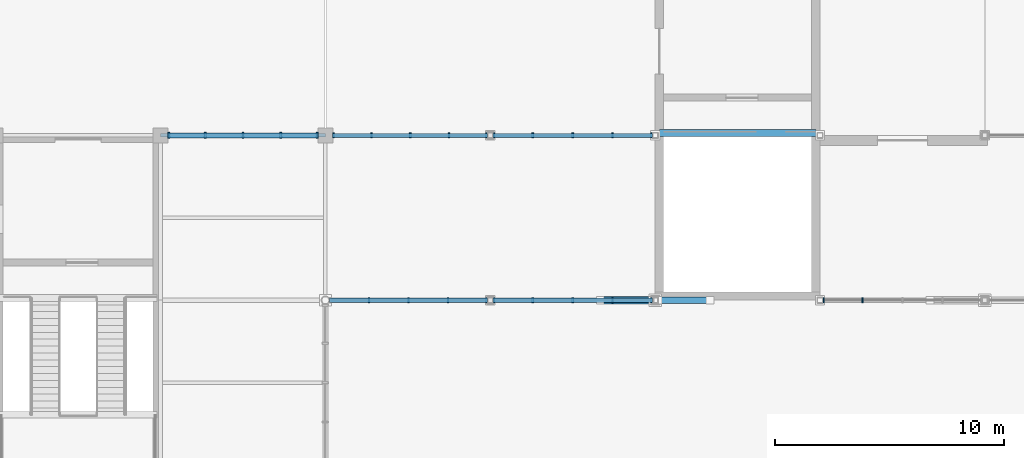
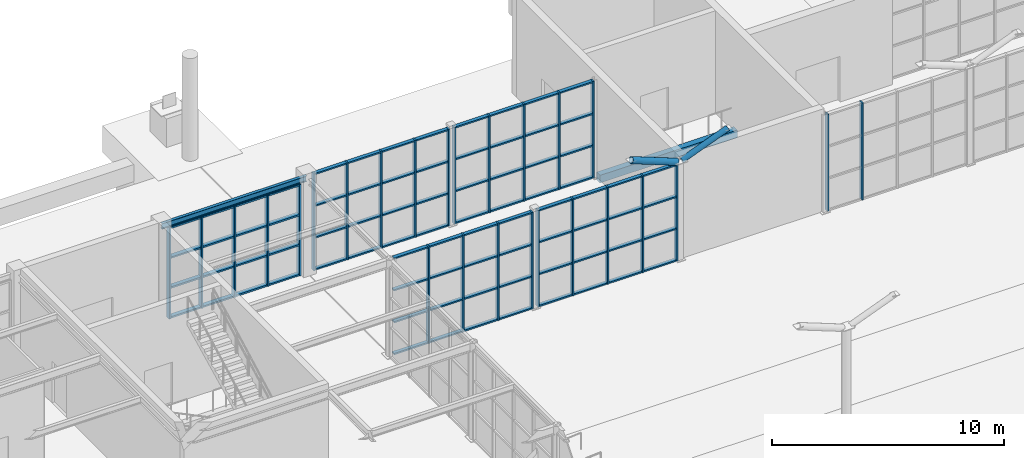
# One storey, part 27 of 75: 48 members, 2 beams, 6 elements without a shape of their own.
"""IFC4 building model written with IfcOpenShell, lengths in metres."""

from ifc_helpers import new_model, si_unit, direction, frame, origin, origin_2d, place, context, subcontext, project, spatial, rectangle, hollow_circle, i_section, extrude, material, material_profile, profile_set, type_object, element, aggregate, save


model = new_model("IFC4")

# Units and contexts
model_context = context("Model", 3, precision=1e-05, world=origin(), true_north=direction((0.0, 1.0)))
body_context = subcontext(model_context, "Body", "Model", "MODEL_VIEW")
ifc_project = project(units=[si_unit("LENGTHUNIT", "METRE"), si_unit("AREAUNIT", "SQUARE_METRE"), si_unit("VOLUMEUNIT", "CUBIC_METRE"), si_unit("PLANEANGLEUNIT", "RADIAN"), si_unit("MASSUNIT", "GRAM", prefix="KILO")], contexts=[model_context])

# Site, building, storey
site_placement = place(None, origin())
site = spatial("IfcSite", under=ifc_project, at=site_placement, CompositionType="ELEMENT")
building_placement = place(site_placement, origin())
building = spatial("IfcBuilding", under=site, at=building_placement, Name="Leyfeld Transit Interchange", CompositionType="ELEMENT")
storey_placement = place(building_placement, origin())
storey = spatial("IfcBuildingStorey", under=building, at=storey_placement, Name="L00", CompositionType="ELEMENT", Elevation=0.0)

# Beams
ifc_material_1 = material(Name="Concrete C35/45", Category="concrete")
ifc_material_profile_1 = material_profile(ifc_material_1, rectangle(XDim=0.300048828125, YDim=0.39990234375, at=origin_2d()), Name="RC 400x300")
ifc_profile_set_1 = profile_set([ifc_material_profile_1], Name="Concrete C35/45")
beam_type_1 = type_object("IfcBeamType", Name="BM-RC-400x300", PredefinedType="LINTEL", material=ifc_profile_set_1)
beam_1_placement = place(storey_placement, frame((115.385009765625, 50.5, -0.199951171875), z_axis=(1.0, 0.0, 0.0), x_axis=(0.0, 1.0, 0.0)))
element("IfcBeam", 1, at=beam_1_placement, inside=storey, type_object=beam_type_1, Name="Core K9 Floor Landing Corbel L00", PredefinedType="LINTEL", context=body_context, shape_type="SweptSolid", body=[
    extrude(rectangle(XDim=0.300048828125, YDim=0.39990234375, at=origin_2d()), origin(), (0.0, 0.0, 1.0), 6.830078125),
])
ifc_material_2 = material(Name="Steel S355J2", Category="steel")
ifc_material_profile_2 = material_profile(ifc_material_2, i_section(OverallWidth=0.14990234375, OverallDepth=0.300048828125, WebThickness=0.007080078125, FlangeThickness=0.0107421875, FilletRadius=0.014892578125, at=origin_2d()), Name="IPE 300")
ifc_profile_set_2 = profile_set([ifc_material_profile_2], Name="Steel S355J2")
beam_type_2 = type_object("IfcBeamType", Name="BM-STL-IPE300", PredefinedType="SPANDREL", material=ifc_profile_set_2)
beam_2_placement = place(storey_placement, frame((93.60009765625, 50.39990234375, 4.949951171875), z_axis=(1.0, 0.0, 0.0), x_axis=(0.0, 1.0, 0.0)))
element("IfcBeam", 2, at=beam_2_placement, inside=storey, type_object=beam_type_2, Name="Beam BM-L00-0936_0504-1008_0504", PredefinedType="SPANDREL", context=body_context, shape_type="SweptSolid", body=[
    extrude(i_section(OverallWidth=0.14990234375, OverallDepth=0.300048828125, WebThickness=0.007080078125, FlangeThickness=0.0107421875, FilletRadius=0.014892578125, at=origin_2d()), origin(), (0.0, 0.0, 1.0), 7.199951171875),
])

# Curtain wall, members
ifc_material_3 = material(Name="Anodised aluminium EN AW-6060 T66", Category="aluminium")
curtain_wall_type_1 = type_object("IfcCurtainWallType", Name="CW-SYS-PAS-7200", PredefinedType="NOTDEFINED", material=ifc_material_3)
curtain_wall_1_placement = place(storey_placement, origin())
curtain_wall_1 = element("IfcCurtainWall", 3, at=curtain_wall_1_placement, inside=storey, type_object=curtain_wall_type_1, Name="Curtain Wall CW-L00-020", PredefinedType="NOTDEFINED")
ifc_material_profile_3 = material_profile(ifc_material_3, rectangle(XDim=0.074951171875, YDim=0.219970703125, at=origin_2d()), Name="CW-M 75x220")
ifc_profile_set_3 = profile_set([ifc_material_profile_3], Name="Anodised aluminium EN AW-6060 T66")
member_type_1 = type_object("IfcMemberType", Name="CW-MUL-180x70", PredefinedType="MULLION", material=ifc_profile_set_3)
member_1_placement = place(storey_placement, frame((101.152587890625, 50.39990234375, 0.0), z_axis=(0.0, 0.0, 1.0), x_axis=(1.0, 0.0, 0.0)))
member_1 = element("IfcMember", 4, at=member_1_placement, type_object=member_type_1, Name="Curtain Mullion CW-L00-020-M01", PredefinedType="MULLION", context=body_context, shape_type="SweptSolid", body=[
    extrude(rectangle(XDim=0.074951171875, YDim=0.219970703125, at=origin_2d()), origin(), (0.0, 0.0, 1.0), 5.10009765625),
])
member_2_placement = place(storey_placement, frame((102.8076171875, 50.39990234375, 0.0), z_axis=(0.0, 0.0, 1.0), x_axis=(1.0, 0.0, 0.0)))
member_2 = element("IfcMember", 5, at=member_2_placement, type_object=member_type_1, Name="Curtain Mullion CW-L00-020-M02", PredefinedType="MULLION", context=body_context, shape_type="SweptSolid", body=[
    extrude(rectangle(XDim=0.074951171875, YDim=0.219970703125, at=origin_2d()), origin(), (0.0, 0.0, 1.0), 5.10009765625),
])
member_3_placement = place(storey_placement, frame((104.5, 50.39990234375, 0.0), z_axis=(0.0, 0.0, 1.0), x_axis=(1.0, 0.0, 0.0)))
member_3 = element("IfcMember", 6, at=member_3_placement, type_object=member_type_1, Name="Curtain Mullion CW-L00-020-M03", PredefinedType="MULLION", context=body_context, shape_type="SweptSolid", body=[
    extrude(rectangle(XDim=0.074951171875, YDim=0.219970703125, at=origin_2d()), origin(), (0.0, 0.0, 1.0), 5.10009765625),
])
member_4_placement = place(storey_placement, frame((106.1923828125, 50.39990234375, 0.0), z_axis=(0.0, 0.0, 1.0), x_axis=(1.0, 0.0, 0.0)))
member_4 = element("IfcMember", 7, at=member_4_placement, type_object=member_type_1, Name="Curtain Mullion CW-L00-020-M04", PredefinedType="MULLION", context=body_context, shape_type="SweptSolid", body=[
    extrude(rectangle(XDim=0.074951171875, YDim=0.219970703125, at=origin_2d()), origin(), (0.0, 0.0, 1.0), 5.10009765625),
])
member_5_placement = place(storey_placement, frame((107.847412109375, 50.39990234375, 0.0), z_axis=(0.0, 0.0, 1.0), x_axis=(1.0, 0.0, 0.0)))
member_5 = element("IfcMember", 8, at=member_5_placement, type_object=member_type_1, Name="Curtain Mullion CW-L00-020-M05", PredefinedType="MULLION", context=body_context, shape_type="SweptSolid", body=[
    extrude(rectangle(XDim=0.074951171875, YDim=0.219970703125, at=origin_2d()), origin(), (0.0, 0.0, 1.0), 5.10009765625),
])

curtain_wall_2_placement = place(storey_placement, origin())
curtain_wall_2 = element("IfcCurtainWall", 9, at=curtain_wall_2_placement, inside=storey, type_object=curtain_wall_type_1, Name="Curtain Wall CW-L00-021", PredefinedType="NOTDEFINED")
member_6_placement = place(storey_placement, frame((108.152587890625, 50.39990234375, 0.0), z_axis=(0.0, 0.0, 1.0), x_axis=(1.0, 0.0, 0.0)))
member_6 = element("IfcMember", 10, at=member_6_placement, type_object=member_type_1, Name="Curtain Mullion CW-L00-021-M01", PredefinedType="MULLION", context=body_context, shape_type="SweptSolid", body=[
    extrude(rectangle(XDim=0.074951171875, YDim=0.219970703125, at=origin_2d()), origin(), (0.0, 0.0, 1.0), 5.10009765625),
])
member_7_placement = place(storey_placement, frame((109.857421875, 50.39990234375, 0.0), z_axis=(0.0, 0.0, 1.0), x_axis=(1.0, 0.0, 0.0)))
member_7 = element("IfcMember", 11, at=member_7_placement, type_object=member_type_1, Name="Curtain Mullion CW-L00-021-M02", PredefinedType="MULLION", context=body_context, shape_type="SweptSolid", body=[
    extrude(rectangle(XDim=0.074951171875, YDim=0.219970703125, at=origin_2d()), origin(), (0.0, 0.0, 1.0), 5.10009765625),
])
member_8_placement = place(storey_placement, frame((111.60009765625, 50.39990234375, 0.0), z_axis=(0.0, 0.0, 1.0), x_axis=(1.0, 0.0, 0.0)))
member_8 = element("IfcMember", 12, at=member_8_placement, type_object=member_type_1, Name="Curtain Mullion CW-L00-021-M03", PredefinedType="MULLION", context=body_context, shape_type="SweptSolid", body=[
    extrude(rectangle(XDim=0.074951171875, YDim=0.219970703125, at=origin_2d()), origin(), (0.0, 0.0, 1.0), 5.10009765625),
])
member_9_placement = place(storey_placement, frame((113.342529296875, 50.39990234375, 0.0), z_axis=(0.0, 0.0, 1.0), x_axis=(1.0, 0.0, 0.0)))
member_9 = element("IfcMember", 13, at=member_9_placement, type_object=member_type_1, Name="Curtain Mullion CW-L00-021-M04", PredefinedType="MULLION", context=body_context, shape_type="SweptSolid", body=[
    extrude(rectangle(XDim=0.074951171875, YDim=0.219970703125, at=origin_2d()), origin(), (0.0, 0.0, 1.0), 5.10009765625),
])
member_10_placement = place(storey_placement, frame((115.047607421875, 50.39990234375, 0.0), z_axis=(0.0, 0.0, 1.0), x_axis=(1.0, 0.0, 0.0)))
member_10 = element("IfcMember", 14, at=member_10_placement, type_object=member_type_1, Name="Curtain Mullion CW-L00-021-M05", PredefinedType="MULLION", context=body_context, shape_type="SweptSolid", body=[
    extrude(rectangle(XDim=0.074951171875, YDim=0.219970703125, at=origin_2d()), origin(), (0.0, 0.0, 1.0), 5.10009765625),
])

curtain_wall_3_placement = place(storey_placement, origin())
curtain_wall_3 = element("IfcCurtainWall", 15, at=curtain_wall_3_placement, inside=storey, type_object=curtain_wall_type_1, Name="Curtain Wall CW-L00-025", PredefinedType="NOTDEFINED")
member_11_placement = place(storey_placement, frame((124.257568359375, 43.199951171875, 0.0), z_axis=(0.0, 0.0, 1.0), x_axis=(-1.0, 0.0, 0.0)))
member_11 = element("IfcMember", 16, at=member_11_placement, type_object=member_type_1, Name="Curtain Mullion CW-L00-025-M04", PredefinedType="MULLION", context=body_context, shape_type="SweptSolid", body=[
    extrude(rectangle(XDim=0.074951171875, YDim=0.219970703125, at=origin_2d()), origin(), (0.0, 0.0, 1.0), 5.10009765625),
])
member_12_placement = place(storey_placement, frame((122.552490234375, 43.199951171875, 0.0), z_axis=(0.0, 0.0, 1.0), x_axis=(-1.0, 0.0, 0.0)))
member_12 = element("IfcMember", 17, at=member_12_placement, type_object=member_type_1, Name="Curtain Mullion CW-L00-025-M05", PredefinedType="MULLION", context=body_context, shape_type="SweptSolid", body=[
    extrude(rectangle(XDim=0.074951171875, YDim=0.219970703125, at=origin_2d()), origin(), (0.0, 0.0, 1.0), 5.10009765625),
])
aggregate(curtain_wall_3, [member_11, member_12])

curtain_wall_4_placement = place(storey_placement, origin())
curtain_wall_4 = element("IfcCurtainWall", 18, at=curtain_wall_4_placement, inside=storey, type_object=curtain_wall_type_1, Name="Curtain Wall CW-L00-026", PredefinedType="NOTDEFINED")
member_13_placement = place(storey_placement, frame((115.047607421875, 43.199951171875, 0.0), z_axis=(0.0, 0.0, 1.0), x_axis=(-1.0, 0.0, 0.0)))
member_13 = element("IfcMember", 19, at=member_13_placement, type_object=member_type_1, Name="Curtain Mullion CW-L00-026-M01", PredefinedType="MULLION", context=body_context, shape_type="SweptSolid", body=[
    extrude(rectangle(XDim=0.074951171875, YDim=0.219970703125, at=origin_2d()), origin(), (0.0, 0.0, 1.0), 5.10009765625),
])
member_14_placement = place(storey_placement, frame((113.342529296875, 43.199951171875, 0.0), z_axis=(0.0, 0.0, 1.0), x_axis=(-1.0, 0.0, 0.0)))
member_14 = element("IfcMember", 20, at=member_14_placement, type_object=member_type_1, Name="Curtain Mullion CW-L00-026-M02", PredefinedType="MULLION", context=body_context, shape_type="SweptSolid", body=[
    extrude(rectangle(XDim=0.074951171875, YDim=0.219970703125, at=origin_2d()), origin(), (0.0, 0.0, 1.0), 5.10009765625),
])
member_15_placement = place(storey_placement, frame((111.60009765625, 43.199951171875, 0.0), z_axis=(0.0, 0.0, 1.0), x_axis=(-1.0, 0.0, 0.0)))
member_15 = element("IfcMember", 21, at=member_15_placement, type_object=member_type_1, Name="Curtain Mullion CW-L00-026-M03", PredefinedType="MULLION", context=body_context, shape_type="SweptSolid", body=[
    extrude(rectangle(XDim=0.074951171875, YDim=0.219970703125, at=origin_2d()), origin(), (0.0, 0.0, 1.0), 5.10009765625),
])
member_16_placement = place(storey_placement, frame((109.857421875, 43.199951171875, 0.0), z_axis=(0.0, 0.0, 1.0), x_axis=(-1.0, 0.0, 0.0)))
member_16 = element("IfcMember", 22, at=member_16_placement, type_object=member_type_1, Name="Curtain Mullion CW-L00-026-M04", PredefinedType="MULLION", context=body_context, shape_type="SweptSolid", body=[
    extrude(rectangle(XDim=0.074951171875, YDim=0.219970703125, at=origin_2d()), origin(), (0.0, 0.0, 1.0), 5.10009765625),
])
member_17_placement = place(storey_placement, frame((108.152587890625, 43.199951171875, 0.0), z_axis=(0.0, 0.0, 1.0), x_axis=(-1.0, 0.0, 0.0)))
member_17 = element("IfcMember", 23, at=member_17_placement, type_object=member_type_1, Name="Curtain Mullion CW-L00-026-M05", PredefinedType="MULLION", context=body_context, shape_type="SweptSolid", body=[
    extrude(rectangle(XDim=0.074951171875, YDim=0.219970703125, at=origin_2d()), origin(), (0.0, 0.0, 1.0), 5.10009765625),
])

curtain_wall_5_placement = place(storey_placement, origin())
curtain_wall_5 = element("IfcCurtainWall", 24, at=curtain_wall_5_placement, inside=storey, type_object=curtain_wall_type_1, Name="Curtain Wall CW-L00-027", PredefinedType="NOTDEFINED")
member_18_placement = place(storey_placement, frame((107.847412109375, 43.199951171875, 0.0), z_axis=(0.0, 0.0, 1.0), x_axis=(-1.0, 0.0, 0.0)))
member_18 = element("IfcMember", 25, at=member_18_placement, type_object=member_type_1, Name="Curtain Mullion CW-L00-027-M01", PredefinedType="MULLION", context=body_context, shape_type="SweptSolid", body=[
    extrude(rectangle(XDim=0.074951171875, YDim=0.219970703125, at=origin_2d()), origin(), (0.0, 0.0, 1.0), 5.10009765625),
])
member_19_placement = place(storey_placement, frame((106.15576171875, 43.199951171875, 0.0), z_axis=(0.0, 0.0, 1.0), x_axis=(-1.0, 0.0, 0.0)))
member_19 = element("IfcMember", 26, at=member_19_placement, type_object=member_type_1, Name="Curtain Mullion CW-L00-027-M02", PredefinedType="MULLION", context=body_context, shape_type="SweptSolid", body=[
    extrude(rectangle(XDim=0.074951171875, YDim=0.219970703125, at=origin_2d()), origin(), (0.0, 0.0, 1.0), 5.10009765625),
])
member_20_placement = place(storey_placement, frame((104.426513671875, 43.199951171875, 0.0), z_axis=(0.0, 0.0, 1.0), x_axis=(-1.0, 0.0, 0.0)))
member_20 = element("IfcMember", 27, at=member_20_placement, type_object=member_type_1, Name="Curtain Mullion CW-L00-027-M03", PredefinedType="MULLION", context=body_context, shape_type="SweptSolid", body=[
    extrude(rectangle(XDim=0.074951171875, YDim=0.219970703125, at=origin_2d()), origin(), (0.0, 0.0, 1.0), 5.10009765625),
])
member_21_placement = place(storey_placement, frame((102.697021484375, 43.199951171875, 0.0), z_axis=(0.0, 0.0, 1.0), x_axis=(-1.0, 0.0, 0.0)))
member_21 = element("IfcMember", 28, at=member_21_placement, type_object=member_type_1, Name="Curtain Mullion CW-L00-027-M04", PredefinedType="MULLION", context=body_context, shape_type="SweptSolid", body=[
    extrude(rectangle(XDim=0.074951171875, YDim=0.219970703125, at=origin_2d()), origin(), (0.0, 0.0, 1.0), 5.10009765625),
])

curtain_wall_type_2 = type_object("IfcCurtainWallType", Name="CW-SYS-ARC-7200", PredefinedType="NOTDEFINED", material=ifc_material_3)
curtain_wall_6_placement = place(storey_placement, origin())
curtain_wall_6 = element("IfcCurtainWall", 29, at=curtain_wall_6_placement, inside=storey, type_object=curtain_wall_type_2, Name="Curtain Wall CW-L00-019", PredefinedType="NOTDEFINED")
ifc_material_profile_4 = material_profile(ifc_material_3, rectangle(XDim=0.0849609375, YDim=0.260009765625, at=origin_2d()), Name="CW-M 85x260")
ifc_profile_set_4 = profile_set([ifc_material_profile_4], Name="Anodised aluminium EN AW-6060 T66")
member_type_2 = type_object("IfcMemberType", Name="CW-MUL-220x80", PredefinedType="MULLION", material=ifc_profile_set_4)
member_22_placement = place(storey_placement, frame((93.95751953125, 50.39990234375, 0.0), z_axis=(0.0, 0.0, 1.0), x_axis=(1.0, 0.0, 0.0)))
member_22 = element("IfcMember", 30, at=member_22_placement, type_object=member_type_2, Name="Curtain Mullion CW-L00-019-M01", PredefinedType="MULLION", context=body_context, shape_type="SweptSolid", body=[
    extrude(rectangle(XDim=0.0849609375, YDim=0.260009765625, at=origin_2d()), origin(), (0.0, 0.0, 1.0), 4.800048828125),
])
member_23_placement = place(storey_placement, frame((95.5576171875, 50.39990234375, 0.0), z_axis=(0.0, 0.0, 1.0), x_axis=(1.0, 0.0, 0.0)))
member_23 = element("IfcMember", 31, at=member_23_placement, type_object=member_type_2, Name="Curtain Mullion CW-L00-019-M02", PredefinedType="MULLION", context=body_context, shape_type="SweptSolid", body=[
    extrude(rectangle(XDim=0.0849609375, YDim=0.260009765625, at=origin_2d()), origin(), (0.0, 0.0, 1.0), 4.800048828125),
])
member_24_placement = place(storey_placement, frame((97.199951171875, 50.39990234375, 0.0), z_axis=(0.0, 0.0, 1.0), x_axis=(1.0, 0.0, 0.0)))
member_24 = element("IfcMember", 32, at=member_24_placement, type_object=member_type_2, Name="Curtain Mullion CW-L00-019-M03", PredefinedType="MULLION", context=body_context, shape_type="SweptSolid", body=[
    extrude(rectangle(XDim=0.0849609375, YDim=0.260009765625, at=origin_2d()), origin(), (0.0, 0.0, 1.0), 4.800048828125),
])
member_25_placement = place(storey_placement, frame((98.842529296875, 50.39990234375, 0.0), z_axis=(0.0, 0.0, 1.0), x_axis=(1.0, 0.0, 0.0)))
member_25 = element("IfcMember", 33, at=member_25_placement, type_object=member_type_2, Name="Curtain Mullion CW-L00-019-M04", PredefinedType="MULLION", context=body_context, shape_type="SweptSolid", body=[
    extrude(rectangle(XDim=0.0849609375, YDim=0.260009765625, at=origin_2d()), origin(), (0.0, 0.0, 1.0), 4.800048828125),
])
member_26_placement = place(storey_placement, frame((100.4423828125, 50.39990234375, 0.0), z_axis=(0.0, 0.0, 1.0), x_axis=(1.0, 0.0, 0.0)))
member_26 = element("IfcMember", 34, at=member_26_placement, type_object=member_type_2, Name="Curtain Mullion CW-L00-019-M05", PredefinedType="MULLION", context=body_context, shape_type="SweptSolid", body=[
    extrude(rectangle(XDim=0.0849609375, YDim=0.260009765625, at=origin_2d()), origin(), (0.0, 0.0, 1.0), 4.800048828125),
])

# Member
ifc_material_profile_5 = material_profile(ifc_material_3, rectangle(XDim=0.179931640625, YDim=0.074951171875, at=origin_2d()), Name="CW-TRN-160x70")
ifc_profile_set_5 = profile_set([ifc_material_profile_5], Name="Anodised aluminium EN AW-6060 T66")
member_type_3 = type_object("IfcMemberType", Name="CW-TRN-160x70", PredefinedType="USERDEFINED", material=ifc_profile_set_5)
member_27_placement = place(storey_placement, frame((101.114990234375, 50.39990234375, 0.03759765625), z_axis=(1.0, 0.0, 0.0), x_axis=(0.0, 1.0, 0.0)))
member_27 = element("IfcMember", 35, at=member_27_placement, type_object=member_type_3, Name="Curtain Transom CW-L00-020-T01", ObjectType="TRANSOM", PredefinedType="USERDEFINED", context=body_context, shape_type="SweptSolid", body=[
    extrude(rectangle(XDim=0.179931640625, YDim=0.074951171875, at=origin_2d()), origin(), (0.0, 0.0, 1.0), 6.77001953125),
])

member_28_placement = place(storey_placement, frame((101.114990234375, 50.39990234375, 1.71240234375), z_axis=(1.0, 0.0, 0.0), x_axis=(0.0, 1.0, 0.0)))
member_28 = element("IfcMember", 36, at=member_28_placement, type_object=member_type_3, Name="Curtain Transom CW-L00-020-T02", ObjectType="TRANSOM", PredefinedType="USERDEFINED", context=body_context, shape_type="SweptSolid", body=[
    extrude(rectangle(XDim=0.179931640625, YDim=0.074951171875, at=origin_2d()), origin(), (0.0, 0.0, 1.0), 6.77001953125),
])

member_29_placement = place(storey_placement, frame((101.114990234375, 50.39990234375, 3.387451171875), z_axis=(1.0, 0.0, 0.0), x_axis=(0.0, 1.0, 0.0)))
member_29 = element("IfcMember", 37, at=member_29_placement, type_object=member_type_3, Name="Curtain Transom CW-L00-020-T03", ObjectType="TRANSOM", PredefinedType="USERDEFINED", context=body_context, shape_type="SweptSolid", body=[
    extrude(rectangle(XDim=0.179931640625, YDim=0.074951171875, at=origin_2d()), origin(), (0.0, 0.0, 1.0), 6.77001953125),
])

member_30_placement = place(storey_placement, frame((101.114990234375, 50.39990234375, 5.0625), z_axis=(1.0, 0.0, 0.0), x_axis=(0.0, 1.0, 0.0)))
member_30 = element("IfcMember", 38, at=member_30_placement, type_object=member_type_3, Name="Curtain Transom CW-L00-020-T04", ObjectType="TRANSOM", PredefinedType="USERDEFINED", context=body_context, shape_type="SweptSolid", body=[
    extrude(rectangle(XDim=0.179931640625, YDim=0.074951171875, at=origin_2d()), origin(), (0.0, 0.0, 1.0), 6.77001953125),
])

aggregate(curtain_wall_1, [member_1, member_2, member_3, member_4, member_5, member_27, member_28, member_29, member_30])

member_31_placement = place(storey_placement, frame((108.114990234375, 50.39990234375, 0.03759765625), z_axis=(1.0, 0.0, 0.0), x_axis=(0.0, 1.0, 0.0)))
member_31 = element("IfcMember", 39, at=member_31_placement, type_object=member_type_3, Name="Curtain Transom CW-L00-021-T01", ObjectType="TRANSOM", PredefinedType="USERDEFINED", context=body_context, shape_type="SweptSolid", body=[
    extrude(rectangle(XDim=0.179931640625, YDim=0.074951171875, at=origin_2d()), origin(), (0.0, 0.0, 1.0), 6.969970703125),
])

member_32_placement = place(storey_placement, frame((108.114990234375, 50.39990234375, 1.71240234375), z_axis=(1.0, 0.0, 0.0), x_axis=(0.0, 1.0, 0.0)))
member_32 = element("IfcMember", 40, at=member_32_placement, type_object=member_type_3, Name="Curtain Transom CW-L00-021-T02", ObjectType="TRANSOM", PredefinedType="USERDEFINED", context=body_context, shape_type="SweptSolid", body=[
    extrude(rectangle(XDim=0.179931640625, YDim=0.074951171875, at=origin_2d()), origin(), (0.0, 0.0, 1.0), 6.969970703125),
])

member_33_placement = place(storey_placement, frame((108.114990234375, 50.39990234375, 3.387451171875), z_axis=(1.0, 0.0, 0.0), x_axis=(0.0, 1.0, 0.0)))
member_33 = element("IfcMember", 41, at=member_33_placement, type_object=member_type_3, Name="Curtain Transom CW-L00-021-T03", ObjectType="TRANSOM", PredefinedType="USERDEFINED", context=body_context, shape_type="SweptSolid", body=[
    extrude(rectangle(XDim=0.179931640625, YDim=0.074951171875, at=origin_2d()), origin(), (0.0, 0.0, 1.0), 6.969970703125),
])

member_34_placement = place(storey_placement, frame((108.114990234375, 50.39990234375, 5.0625), z_axis=(1.0, 0.0, 0.0), x_axis=(0.0, 1.0, 0.0)))
member_34 = element("IfcMember", 42, at=member_34_placement, type_object=member_type_3, Name="Curtain Transom CW-L00-021-T04", ObjectType="TRANSOM", PredefinedType="USERDEFINED", context=body_context, shape_type="SweptSolid", body=[
    extrude(rectangle(XDim=0.179931640625, YDim=0.074951171875, at=origin_2d()), origin(), (0.0, 0.0, 1.0), 6.969970703125),
])

aggregate(curtain_wall_2, [member_6, member_7, member_8, member_9, member_10, member_31, member_32, member_33, member_34])

member_35_placement = place(storey_placement, frame((115.0849609375, 43.199951171875, 0.03759765625), z_axis=(-1.0, 0.0, 0.0), x_axis=(0.0, -1.0, 0.0)))
member_35 = element("IfcMember", 43, at=member_35_placement, type_object=member_type_3, Name="Curtain Transom CW-L00-026-T01", ObjectType="TRANSOM", PredefinedType="USERDEFINED", context=body_context, shape_type="SweptSolid", body=[
    extrude(rectangle(XDim=0.179931640625, YDim=0.074951171875, at=origin_2d()), origin(), (0.0, 0.0, 1.0), 6.969970703125),
])

member_36_placement = place(storey_placement, frame((115.0849609375, 43.199951171875, 1.71240234375), z_axis=(-1.0, 0.0, 0.0), x_axis=(0.0, -1.0, 0.0)))
member_36 = element("IfcMember", 44, at=member_36_placement, type_object=member_type_3, Name="Curtain Transom CW-L00-026-T02", ObjectType="TRANSOM", PredefinedType="USERDEFINED", context=body_context, shape_type="SweptSolid", body=[
    extrude(rectangle(XDim=0.179931640625, YDim=0.074951171875, at=origin_2d()), origin(), (0.0, 0.0, 1.0), 6.969970703125),
])

member_37_placement = place(storey_placement, frame((115.0849609375, 43.199951171875, 3.387451171875), z_axis=(-1.0, 0.0, 0.0), x_axis=(0.0, -1.0, 0.0)))
member_37 = element("IfcMember", 45, at=member_37_placement, type_object=member_type_3, Name="Curtain Transom CW-L00-026-T03", ObjectType="TRANSOM", PredefinedType="USERDEFINED", context=body_context, shape_type="SweptSolid", body=[
    extrude(rectangle(XDim=0.179931640625, YDim=0.074951171875, at=origin_2d()), origin(), (0.0, 0.0, 1.0), 6.969970703125),
])

member_38_placement = place(storey_placement, frame((115.0849609375, 43.199951171875, 5.0625), z_axis=(-1.0, 0.0, 0.0), x_axis=(0.0, -1.0, 0.0)))
member_38 = element("IfcMember", 46, at=member_38_placement, type_object=member_type_3, Name="Curtain Transom CW-L00-026-T04", ObjectType="TRANSOM", PredefinedType="USERDEFINED", context=body_context, shape_type="SweptSolid", body=[
    extrude(rectangle(XDim=0.179931640625, YDim=0.074951171875, at=origin_2d()), origin(), (0.0, 0.0, 1.0), 6.969970703125),
])

aggregate(curtain_wall_4, [member_13, member_14, member_15, member_16, member_17, member_35, member_36, member_37, member_38])

member_39_placement = place(storey_placement, frame((107.885009765625, 43.199951171875, 0.03759765625), z_axis=(-1.0, 0.0, 0.0), x_axis=(0.0, -1.0, 0.0)))
member_39 = element("IfcMember", 47, at=member_39_placement, type_object=member_type_3, Name="Curtain Transom CW-L00-027-T01", ObjectType="TRANSOM", PredefinedType="USERDEFINED", context=body_context, shape_type="SweptSolid", body=[
    extrude(rectangle(XDim=0.179931640625, YDim=0.074951171875, at=origin_2d()), origin(), (0.0, 0.0, 1.0), 6.917236328125),
])

member_40_placement = place(storey_placement, frame((107.885009765625, 43.199951171875, 1.71240234375), z_axis=(-1.0, 0.0, 0.0), x_axis=(0.0, -1.0, 0.0)))
member_40 = element("IfcMember", 48, at=member_40_placement, type_object=member_type_3, Name="Curtain Transom CW-L00-027-T02", ObjectType="TRANSOM", PredefinedType="USERDEFINED", context=body_context, shape_type="SweptSolid", body=[
    extrude(rectangle(XDim=0.179931640625, YDim=0.074951171875, at=origin_2d()), origin(), (0.0, 0.0, 1.0), 6.917236328125),
])

member_41_placement = place(storey_placement, frame((107.885009765625, 43.199951171875, 3.387451171875), z_axis=(-1.0, 0.0, 0.0), x_axis=(0.0, -1.0, 0.0)))
member_41 = element("IfcMember", 49, at=member_41_placement, type_object=member_type_3, Name="Curtain Transom CW-L00-027-T03", ObjectType="TRANSOM", PredefinedType="USERDEFINED", context=body_context, shape_type="SweptSolid", body=[
    extrude(rectangle(XDim=0.179931640625, YDim=0.074951171875, at=origin_2d()), origin(), (0.0, 0.0, 1.0), 6.917236328125),
])

member_42_placement = place(storey_placement, frame((107.885009765625, 43.199951171875, 5.0625), z_axis=(-1.0, 0.0, 0.0), x_axis=(0.0, -1.0, 0.0)))
member_42 = element("IfcMember", 50, at=member_42_placement, type_object=member_type_3, Name="Curtain Transom CW-L00-027-T04", ObjectType="TRANSOM", PredefinedType="USERDEFINED", context=body_context, shape_type="SweptSolid", body=[
    extrude(rectangle(XDim=0.179931640625, YDim=0.074951171875, at=origin_2d()), origin(), (0.0, 0.0, 1.0), 6.917236328125),
])

aggregate(curtain_wall_5, [member_18, member_19, member_20, member_21, member_39, member_40, member_41, member_42])

ifc_material_profile_6 = material_profile(ifc_material_3, rectangle(XDim=0.2099609375, YDim=0.0849609375, at=origin_2d()), Name="CW-TRN-200x80")
ifc_profile_set_6 = profile_set([ifc_material_profile_6], Name="Anodised aluminium EN AW-6060 T66")
member_type_4 = type_object("IfcMemberType", Name="CW-TRN-200x80", PredefinedType="USERDEFINED", material=ifc_profile_set_6)
member_43_placement = place(storey_placement, frame((93.9150390625, 50.39990234375, 0.04248046875), z_axis=(1.0, 0.0, 0.0), x_axis=(0.0, 1.0, 0.0)))
member_43 = element("IfcMember", 51, at=member_43_placement, type_object=member_type_4, Name="Curtain Transom CW-L00-019-T01", ObjectType="TRANSOM", PredefinedType="USERDEFINED", context=body_context, shape_type="SweptSolid", body=[
    extrude(rectangle(XDim=0.2099609375, YDim=0.0849609375, at=origin_2d()), origin(), (0.0, 0.0, 1.0), 6.570068359375),
])

member_44_placement = place(storey_placement, frame((93.9150390625, 50.39990234375, 1.6142578125), z_axis=(1.0, 0.0, 0.0), x_axis=(0.0, 1.0, 0.0)))
member_44 = element("IfcMember", 52, at=member_44_placement, type_object=member_type_4, Name="Curtain Transom CW-L00-019-T02", ObjectType="TRANSOM", PredefinedType="USERDEFINED", context=body_context, shape_type="SweptSolid", body=[
    extrude(rectangle(XDim=0.2099609375, YDim=0.0849609375, at=origin_2d()), origin(), (0.0, 0.0, 1.0), 6.570068359375),
])

member_45_placement = place(storey_placement, frame((93.9150390625, 50.39990234375, 3.185791015625), z_axis=(1.0, 0.0, 0.0), x_axis=(0.0, 1.0, 0.0)))
member_45 = element("IfcMember", 53, at=member_45_placement, type_object=member_type_4, Name="Curtain Transom CW-L00-019-T03", ObjectType="TRANSOM", PredefinedType="USERDEFINED", context=body_context, shape_type="SweptSolid", body=[
    extrude(rectangle(XDim=0.2099609375, YDim=0.0849609375, at=origin_2d()), origin(), (0.0, 0.0, 1.0), 6.570068359375),
])

member_46_placement = place(storey_placement, frame((93.9150390625, 50.39990234375, 4.757568359375), z_axis=(1.0, 0.0, 0.0), x_axis=(0.0, 1.0, 0.0)))
member_46 = element("IfcMember", 54, at=member_46_placement, type_object=member_type_4, Name="Curtain Transom CW-L00-019-T04", ObjectType="TRANSOM", PredefinedType="USERDEFINED", context=body_context, shape_type="SweptSolid", body=[
    extrude(rectangle(XDim=0.2099609375, YDim=0.0849609375, at=origin_2d()), origin(), (0.0, 0.0, 1.0), 6.570068359375),
])

aggregate(curtain_wall_6, [member_22, member_23, member_24, member_25, member_26, member_43, member_44, member_45, member_46])

# Members
ifc_material_profile_7 = material_profile(ifc_material_2, hollow_circle(Radius=0.136474609375, WallThickness=0.012451171875, at=origin_2d()), Name="CHS 273x12.5")
ifc_profile_set_7 = profile_set([ifc_material_profile_7], Name="Steel S355J2")
member_type_5 = type_object("IfcMemberType", Name="MEM-VSTR-273", PredefinedType="STRUT", material=ifc_profile_set_7)
member_47_placement = place(storey_placement, frame((115.318115234375, 43.199951171875, 5.159912109375), z_axis=(0.931631947426, 0.0, 0.363403239576), x_axis=(0.0, 1.0, 0.0)))
element("IfcMember", 55, at=member_47_placement, inside=storey, type_object=member_type_5, Name="Bus Canopy V-Strut 009", PredefinedType="STRUT", context=body_context, shape_type="SweptSolid", body=[
    extrude(hollow_circle(Radius=0.136474609375, WallThickness=0.012451171875, at=origin_2d()), origin(), (0.0, 0.0, 1.0), 2.449462890625),
])
ifc_material_profile_8 = material_profile(ifc_material_2, hollow_circle(Radius=0.161865234375, WallThickness=0.01611328125, at=origin_2d()), Name="CHS 323.9x16")
ifc_profile_set_8 = profile_set([ifc_material_profile_8], Name="Steel S355J2")
member_type_6 = type_object("IfcMemberType", Name="MEM-VSTR-323", PredefinedType="STRUT", material=ifc_profile_set_8)
member_48_placement = place(storey_placement, frame((115.08203125, 43.199951171875, 5.159912109375), z_axis=(-0.931631947426, 0.0, 0.363403239576), x_axis=(0.0, -1.0, 0.0)))
element("IfcMember", 56, at=member_48_placement, inside=storey, type_object=member_type_6, Name="Bus Canopy V-Strut 008", PredefinedType="STRUT", context=body_context, shape_type="SweptSolid", body=[
    extrude(hollow_circle(Radius=0.161865234375, WallThickness=0.01611328125, at=origin_2d()), origin(), (0.0, 0.0, 1.0), 2.449462890625),
])

save(model, "model.ifc")
